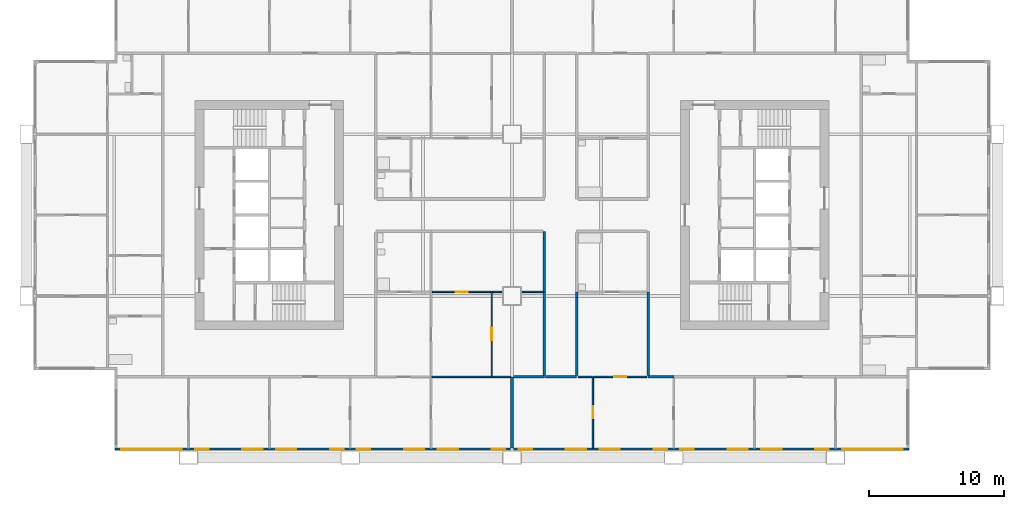
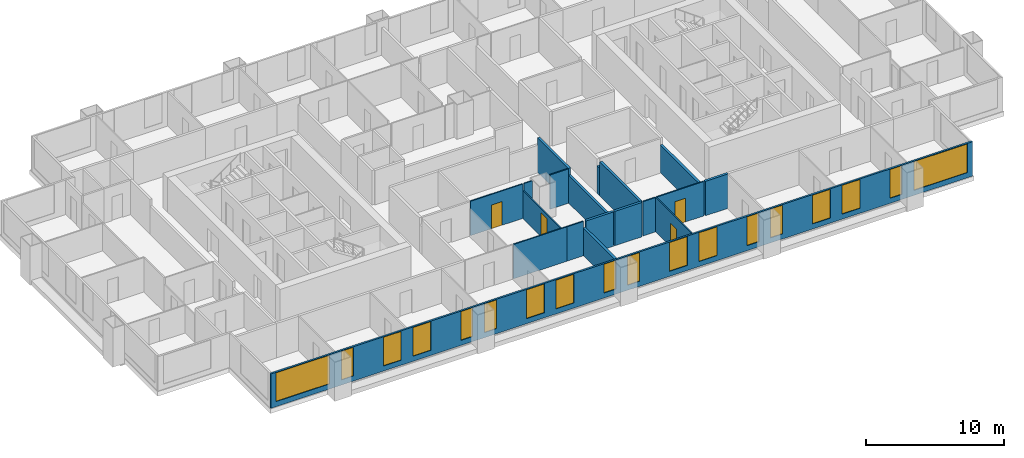
# One storey, part 5 of 12: 19 walls, 18 windows, 4 doors, 22 openings.
"""IFC4 building model written with IfcOpenShell, lengths in metres."""

from ifc_helpers import new_model, si_unit, direction, frame, frame_2d, origin, place, context, subcontext, project, spatial, rectangle, extrude, material, layer, layer_set, type_object, element, fill, save


model = new_model("IFC4")

# Units and contexts
model_context = context("Model", 3, precision=1e-05, world=origin(), true_north=direction((0.0, 1.0)))
body_context = subcontext(model_context, "Body", "Model", "MODEL_VIEW")
ifc_project = project(units=[si_unit("LENGTHUNIT", "METRE"), si_unit("AREAUNIT", "SQUARE_METRE"), si_unit("VOLUMEUNIT", "CUBIC_METRE"), si_unit("PLANEANGLEUNIT", "RADIAN"), si_unit("MASSUNIT", "GRAM", prefix="KILO")], contexts=[model_context])

# Site, building, storey
site_placement = place(None, origin())
site = spatial("IfcSite", under=ifc_project, at=site_placement, CompositionType="ELEMENT")
building_placement = place(site_placement, origin())
building = spatial("IfcBuilding", under=site, at=building_placement, Name="Kitamizu Gate Tower and Museum", CompositionType="ELEMENT")
storey_placement = place(building_placement, frame((0.0, 0.0, 134.550048828125)))
storey = spatial("IfcBuildingStorey", under=building, at=storey_placement, Name="L35", CompositionType="ELEMENT", Elevation=134.550048828125)

# Walls
ifc_material_1 = material(Name="Gypsum board on galvanised stud")
ifc_layer_1 = layer(ifc_material_1, 0.10009765625)
ifc_layer_set_1 = layer_set([ifc_layer_1], Name="Gypsum board on galvanised stud")
wall_type_1 = type_object("IfcWallType", Name="Partition 100 NOT RATED", PredefinedType="PARTITIONING", material=ifc_layer_set_1)
wall_1_placement = place(storey_placement, frame((34.5, 18.0, 0.0), z_axis=(0.0, 0.0, 1.0), x_axis=(-1.0, 0.0, 0.0)))
element("IfcWall", 1, at=wall_1_placement, inside=storey, type_object=wall_type_1, Name="Partition L35-011", PredefinedType="PARTITIONING", context=body_context, shape_type="SweptSolid", body=[
    extrude(rectangle(XDim=4.449951171875, YDim=0.10009765625, at=frame_2d((2.22509765625, 0.0))), origin(), (0.0, 0.0, 1.0), 3.050048828125),
])
wall_2_placement = place(storey_placement, frame((35.89990234375, 18.0, 0.0), z_axis=(0.0, 0.0, 1.0), x_axis=(-1.0, 0.0, 0.0)))
element("IfcWall", 2, at=wall_2_placement, inside=storey, type_object=wall_type_1, Name="Partition L35-012", PredefinedType="PARTITIONING", context=body_context, shape_type="SweptSolid", body=[
    extrude(rectangle(XDim=1.39990234375, YDim=0.10009765625, at=frame_2d((0.699951171875, 0.0))), origin(), (0.0, 0.0, 1.0), 3.050048828125),
])

# Wall, opening, door
wall_3_placement = place(storey_placement, frame((34.5, 18.050048828125, 0.0), z_axis=(0.0, 0.0, 1.0), x_axis=(0.0, 1.0, 0.0)))
wall_3 = element("IfcWall", 3, at=wall_3_placement, inside=storey, type_object=wall_type_1, Name="Partition L35-018", PredefinedType="PARTITIONING", context=body_context, shape_type="SweptSolid", body=[
    extrude(rectangle(XDim=6.25, YDim=0.10009765625, at=frame_2d((3.125, 0.0))), origin(), (0.0, 0.0, 1.0), 2.449951171875),
])
opening_1_placement = place(wall_3_placement, frame((2.675048828125, 0.0, 0.0)))
opening_1 = element("IfcOpeningElement", 4, at=opening_1_placement, cuts=wall_3, Name="Opening L35-009", PredefinedType="OPENING", context=body_context, shape_type="SweptSolid", body=[
    extrude(rectangle(XDim=0.89990234375, YDim=2.10009765625, at=frame_2d((0.449951171875, 1.050048828125))), frame((0.0, 0.06005859375, 0.0), z_axis=(0.0, -1.0, 0.0), x_axis=(1.0, 0.0, 0.0)), (0.0, 0.0, 1.0), 0.1201171875),
])
ifc_material_2 = material(Name="Timber door set", Category="wood")
door_type = type_object("IfcDoorType", Name="Room door 900", OperationType="NOTDEFINED", PredefinedType="DOOR", material=ifc_material_2)
door_1_placement = place(opening_1_placement, frame((0.89990234375, 0.0, 0.0), x_axis=(-1.0, 0.0, 0.0)))
door_1 = element("IfcDoor", 5, at=door_1_placement, inside=storey, type_object=door_type, Name="Door L35-009", OperationType="SINGLE_SWING_LEFT", OverallHeight=2.10009765625, OverallWidth=0.89990234375, PredefinedType="DOOR", context=body_context, shape_type="SweptSolid", body=[
    extrude(rectangle(XDim=0.89990234375, YDim=2.10009765625, at=frame_2d((0.449951171875, 1.050048828125))), frame((0.0, 0.02490234375, 0.0), z_axis=(0.0, -1.0, 0.0), x_axis=(1.0, 0.0, 0.0)), (0.0, 0.0, 1.0), 0.050048828125),
])
fill(opening_1, door_1)

wall_4_placement = place(storey_placement, frame((34.449951171875, 24.300048828125, 0.0), z_axis=(0.0, 0.0, 1.0), x_axis=(-1.0, 0.0, 0.0)))
wall_4 = element("IfcWall", 6, at=wall_4_placement, inside=storey, type_object=wall_type_1, Name="Partition L35-019", PredefinedType="PARTITIONING", context=body_context, shape_type="SweptSolid", body=[
    extrude(rectangle(XDim=4.375, YDim=0.10009765625, at=frame_2d((2.1875, 0.0))), origin(), (0.0, 0.0, 1.0), 3.050048828125),
])
opening_2_placement = place(wall_4_placement, frame((1.737548828125, 0.0, 0.0)))
opening_2 = element("IfcOpeningElement", 7, at=opening_2_placement, cuts=wall_4, Name="Opening L35-010", PredefinedType="OPENING", context=body_context, shape_type="SweptSolid", body=[
    extrude(rectangle(XDim=0.89990234375, YDim=2.10009765625, at=frame_2d((0.449951171875, 1.050048828125))), frame((0.0, 0.06005859375, 0.0), z_axis=(0.0, -1.0, 0.0), x_axis=(1.0, 0.0, 0.0)), (0.0, 0.0, 1.0), 0.1201171875),
])
door_2_placement = place(opening_2_placement, origin())
door_2 = element("IfcDoor", 8, at=door_2_placement, inside=storey, type_object=door_type, Name="Door L35-010", OperationType="SINGLE_SWING_LEFT", OverallHeight=2.10009765625, OverallWidth=0.89990234375, PredefinedType="DOOR", context=body_context, shape_type="SweptSolid", body=[
    extrude(rectangle(XDim=0.89990234375, YDim=2.10009765625, at=frame_2d((0.449951171875, 1.050048828125))), frame((0.0, 0.02490234375, 0.0), z_axis=(0.0, -1.0, 0.0), x_axis=(1.0, 0.0, 0.0)), (0.0, 0.0, 1.0), 0.050048828125),
])
fill(opening_2, door_2)

# Walls
wall_5_placement = place(storey_placement, frame((35.25, 24.300048828125, 0.0), z_axis=(0.0, 0.0, 1.0), x_axis=(-1.0, 0.0, 0.0)))
element("IfcWall", 9, at=wall_5_placement, inside=storey, type_object=wall_type_1, Name="Partition L35-020", PredefinedType="PARTITIONING", context=body_context, shape_type="SweptSolid", body=[
    extrude(rectangle(XDim=0.699951171875, YDim=0.10009765625, at=frame_2d((0.35009765625, 0.0))), origin(), (0.0, 0.0, 1.0), 3.050048828125),
])
wall_6_placement = place(storey_placement, frame((38.300048828125, 24.300048828125, 0.0), z_axis=(0.0, 0.0, 1.0), x_axis=(-1.0, 0.0, 0.0)))
element("IfcWall", 10, at=wall_6_placement, inside=storey, type_object=wall_type_1, Name="Partition L35-021", PredefinedType="PARTITIONING", context=body_context, shape_type="SweptSolid", body=[
    extrude(rectangle(XDim=1.550048828125, YDim=0.10009765625, at=frame_2d((0.77490234375, 0.0))), origin(), (0.0, 0.0, 1.0), 3.050048828125),
])

# Wall, opening, door
wall_7_placement = place(storey_placement, frame((42.0, 12.719970703125, 0.0), z_axis=(0.0, 0.0, 1.0), x_axis=(0.0, 1.0, 0.0)))
wall_7 = element("IfcWall", 11, at=wall_7_placement, inside=storey, type_object=wall_type_1, Name="Partition L35-030", PredefinedType="PARTITIONING", context=body_context, shape_type="SweptSolid", body=[
    extrude(rectangle(XDim=5.280029296875, YDim=0.10009765625, at=frame_2d((2.64013671875, 0.0))), origin(), (0.0, 0.0, 1.0), 3.050048828125),
])
opening_3_placement = place(wall_7_placement, frame((2.18994140625, 0.0, 0.0)))
opening_3 = element("IfcOpeningElement", 12, at=opening_3_placement, cuts=wall_7, Name="Opening L35-017", PredefinedType="OPENING", context=body_context, shape_type="SweptSolid", body=[
    extrude(rectangle(XDim=0.89990234375, YDim=2.10009765625, at=frame_2d((0.449951171875, 1.050048828125))), frame((0.0, 0.06005859375, 0.0), z_axis=(0.0, -1.0, 0.0), x_axis=(1.0, 0.0, 0.0)), (0.0, 0.0, 1.0), 0.1201171875),
])
door_3_placement = place(opening_3_placement, origin())
door_3 = element("IfcDoor", 13, at=door_3_placement, inside=storey, type_object=door_type, Name="Door L35-017", OperationType="SINGLE_SWING_RIGHT", OverallHeight=2.10009765625, OverallWidth=0.89990234375, PredefinedType="DOOR", context=body_context, shape_type="SweptSolid", body=[
    extrude(rectangle(XDim=0.89990234375, YDim=2.10009765625, at=frame_2d((0.449951171875, 1.050048828125))), frame((0.0, 0.02490234375, 0.0), z_axis=(0.0, -1.0, 0.0), x_axis=(1.0, 0.0, 0.0)), (0.0, 0.0, 1.0), 0.050048828125),
])
fill(opening_3, door_3)

# Wall
wall_8_placement = place(storey_placement, frame((41.949951171875, 18.0, 0.0), z_axis=(0.0, 0.0, 1.0), x_axis=(-1.0, 0.0, 0.0)))
element("IfcWall", 14, at=wall_8_placement, inside=storey, type_object=wall_type_1, Name="Partition L35-031", PredefinedType="PARTITIONING", context=body_context, shape_type="SweptSolid", body=[
    extrude(rectangle(XDim=1.050048828125, YDim=0.10009765625, at=frame_2d((0.52490234375, 0.0))), origin(), (0.0, 0.0, 1.0), 3.050048828125),
])

# Wall, opening, door
wall_9_placement = place(storey_placement, frame((46.0, 18.0, 0.0), z_axis=(0.0, 0.0, 1.0), x_axis=(-1.0, 0.0, 0.0)))
wall_9 = element("IfcWall", 15, at=wall_9_placement, inside=storey, type_object=wall_type_1, Name="Partition L35-034", PredefinedType="PARTITIONING", context=body_context, shape_type="SweptSolid", body=[
    extrude(rectangle(XDim=3.949951171875, YDim=0.10009765625, at=frame_2d((1.97509765625, 0.0))), origin(), (0.0, 0.0, 1.0), 3.050048828125),
])
opening_4_placement = place(wall_9_placement, frame((1.52490234375, 0.0, 0.0)))
opening_4 = element("IfcOpeningElement", 16, at=opening_4_placement, cuts=wall_9, Name="Opening L35-015", PredefinedType="OPENING", context=body_context, shape_type="SweptSolid", body=[
    extrude(rectangle(XDim=0.89990234375, YDim=2.10009765625, at=frame_2d((0.449951171875, 1.050048828125))), frame((0.0, 0.06005859375, 0.0), z_axis=(0.0, -1.0, 0.0), x_axis=(1.0, 0.0, 0.0)), (0.0, 0.0, 1.0), 0.1201171875),
])
door_4_placement = place(opening_4_placement, origin())
door_4 = element("IfcDoor", 17, at=door_4_placement, inside=storey, type_object=door_type, Name="Door L35-015", OperationType="SINGLE_SWING_RIGHT", OverallHeight=2.10009765625, OverallWidth=0.89990234375, PredefinedType="DOOR", context=body_context, shape_type="SweptSolid", body=[
    extrude(rectangle(XDim=0.89990234375, YDim=2.10009765625, at=frame_2d((0.449951171875, 1.050048828125))), frame((0.0, 0.02490234375, 0.0), z_axis=(0.0, -1.0, 0.0), x_axis=(1.0, 0.0, 0.0)), (0.0, 0.0, 1.0), 0.050048828125),
])
fill(opening_4, door_4)

# Walls
ifc_material_3 = material(Name="Gypsum board on galvanised stud")
ifc_layer_2 = layer(ifc_material_3, 0.199951171875)
ifc_layer_set_2 = layer_set([ifc_layer_2], Name="Gypsum board on galvanised stud")
wall_type_2 = type_object("IfcWallType", Name="Partition 200", PredefinedType="PARTITIONING", material=ifc_layer_set_2)
wall_10_placement = place(storey_placement, frame((36.0, 12.719970703125, 0.0), z_axis=(0.0, 0.0, 1.0), x_axis=(0.0, 1.0, 0.0)))
element("IfcWall", 18, at=wall_10_placement, inside=storey, type_object=wall_type_2, Name="Partition L35-013", PredefinedType="PARTITIONING", context=body_context, shape_type="SweptSolid", body=[
    extrude(rectangle(XDim=5.280029296875, YDim=0.199951171875, at=frame_2d((2.64013671875, 0.0))), origin(), (0.0, 0.0, 1.0), 2.449951171875),
])
wall_11_placement = place(storey_placement, frame((36.10009765625, 18.0, 0.0), z_axis=(0.0, 0.0, 1.0), x_axis=(1.0, 0.0, 0.0)))
element("IfcWall", 19, at=wall_11_placement, inside=storey, type_object=wall_type_2, Name="Partition L35-022", PredefinedType="PARTITIONING", context=body_context, shape_type="SweptSolid", body=[
    extrude(rectangle(XDim=2.2998046875, YDim=0.199951171875, at=frame_2d((1.14990234375, 0.0))), origin(), (0.0, 0.0, 1.0), 3.050048828125),
])
wall_12_placement = place(storey_placement, frame((38.39990234375, 18.10009765625, 0.0), z_axis=(0.0, 0.0, 1.0), x_axis=(0.0, 1.0, 0.0)))
element("IfcWall", 20, at=wall_12_placement, inside=storey, type_object=wall_type_2, Name="Partition L35-023", PredefinedType="PARTITIONING", context=body_context, shape_type="SweptSolid", body=[
    extrude(rectangle(XDim=6.199951171875, YDim=0.199951171875, at=frame_2d((3.10009765625, 0.0))), origin(), (0.0, 0.0, 1.0), 2.449951171875),
])
wall_13_placement = place(storey_placement, frame((38.39990234375, 24.300048828125, 0.0), z_axis=(0.0, 0.0, 1.0), x_axis=(0.0, 1.0, 0.0)))
element("IfcWall", 21, at=wall_13_placement, inside=storey, type_object=wall_type_2, Name="Partition L35-027", PredefinedType="PARTITIONING", context=body_context, shape_type="SweptSolid", body=[
    extrude(rectangle(XDim=4.5, YDim=0.199951171875, at=frame_2d((2.25, 0.0))), origin(), (0.0, 0.0, 1.0), 3.050048828125),
])
wall_14_placement = place(storey_placement, frame((40.800048828125, 18.0, 0.0), z_axis=(0.0, 0.0, 1.0), x_axis=(-1.0, 0.0, 0.0)))
element("IfcWall", 22, at=wall_14_placement, inside=storey, type_object=wall_type_2, Name="Partition L35-032", PredefinedType="PARTITIONING", context=body_context, shape_type="SweptSolid", body=[
    extrude(rectangle(XDim=2.300048828125, YDim=0.199951171875, at=frame_2d((1.14990234375, 0.0))), origin(), (0.0, 0.0, 1.0), 3.050048828125),
])
wall_15_placement = place(storey_placement, frame((48.0, 18.0, 0.0), z_axis=(0.0, 0.0, 1.0), x_axis=(-1.0, 0.0, 0.0)))
element("IfcWall", 23, at=wall_15_placement, inside=storey, type_object=wall_type_2, Name="Partition L35-035", PredefinedType="PARTITIONING", context=body_context, shape_type="SweptSolid", body=[
    extrude(rectangle(XDim=1.89990234375, YDim=0.199951171875, at=frame_2d((0.949951171875, 0.0))), origin(), (0.0, 0.0, 1.0), 3.050048828125),
])
wall_16_placement = place(storey_placement, frame((40.800048828125, 24.300048828125, 0.0), z_axis=(0.0, 0.0, 1.0), x_axis=(0.0, -1.0, 0.0)))
element("IfcWall", 24, at=wall_16_placement, inside=storey, type_object=wall_type_2, Name="Partition L35-043", PredefinedType="PARTITIONING", context=body_context, shape_type="SweptSolid", body=[
    extrude(rectangle(XDim=0.400146484375, YDim=0.199951171875, at=frame_2d((0.2001953125, 0.0))), origin(), (0.0, 0.0, 1.0), 2.449951171875),
])
wall_17_placement = place(storey_placement, frame((40.800048828125, 23.89990234375, 0.0), z_axis=(0.0, 0.0, 1.0), x_axis=(0.0, -1.0, 0.0)))
element("IfcWall", 25, at=wall_17_placement, inside=storey, type_object=wall_type_2, Name="Partition L35-044", PredefinedType="PARTITIONING", context=body_context, shape_type="SweptSolid", body=[
    extrude(rectangle(XDim=5.7998046875, YDim=0.199951171875, at=frame_2d((2.89990234375, 0.0))), origin(), (0.0, 0.0, 1.0), 3.050048828125),
])
wall_18_placement = place(storey_placement, frame((46.10009765625, 18.10009765625, 0.0), z_axis=(0.0, 0.0, 1.0), x_axis=(0.0, 1.0, 0.0)))
element("IfcWall", 26, at=wall_18_placement, inside=storey, type_object=wall_type_2, Name="Partition L35-045", PredefinedType="PARTITIONING", context=body_context, shape_type="SweptSolid", body=[
    extrude(rectangle(XDim=6.199951171875, YDim=0.199951171875, at=frame_2d((3.10009765625, 0.0))), origin(), (0.0, 0.0, 1.0), 2.449951171875),
])

# Wall, openings, windows
ifc_material_4 = material(Name="Bronze anodised aluminium frame with insulated spandrel and tinted glass", Category="aluminium")
ifc_layer_3 = layer(ifc_material_4, 0.14990234375)
ifc_layer_set_3 = layer_set([ifc_layer_3], Name="Bronze anodised aluminium frame with insulated spandrel and tinted glass")
wall_type_3 = type_object("IfcWallType", Name="WINDOW WALL 150 BRONZE FRAME EI 30", PredefinedType="ELEMENTEDWALL", material=ifc_layer_set_3)
wall_19_placement = place(storey_placement, frame((6.56005859375, 12.635009765625, 0.0), z_axis=(0.0, 0.0, 1.0), x_axis=(1.0, 0.0, 0.0)))
wall_19 = element("IfcWall", 27, at=wall_19_placement, inside=storey, type_object=wall_type_3, Name="Window wall south L35", PredefinedType="ELEMENTEDWALL", context=body_context, shape_type="SweptSolid", body=[
    extrude(rectangle(XDim=58.8798828125, YDim=0.14990234375, at=frame_2d((29.43994140625, 0.0))), origin(), (0.0, 0.0, 1.0), 3.050048828125),
])
opening_5_placement = place(wall_19_placement, frame((0.43994140625, 0.0, 0.449951171875)))
opening_5 = element("IfcOpeningElement", 28, at=opening_5_placement, cuts=wall_19, Name="Opening W15", PredefinedType="OPENING", context=body_context, shape_type="SweptSolid", body=[
    extrude(rectangle(XDim=4.5, YDim=2.550048828125, at=frame_2d((2.25, 1.27490234375))), frame((0.0, 0.0849609375, 0.0), z_axis=(0.0, -1.0, 0.0), x_axis=(1.0, 0.0, 0.0)), (0.0, 0.0, 1.0), 0.169921875),
])
opening_6_placement = place(wall_19_placement, frame((5.93994140625, 0.0, 0.449951171875)))
opening_6 = element("IfcOpeningElement", 29, at=opening_6_placement, cuts=wall_19, Name="Opening W26", PredefinedType="OPENING", context=body_context, shape_type="SweptSolid", body=[
    extrude(rectangle(XDim=1.0, YDim=2.550048828125, at=frame_2d((0.5, 1.27490234375))), frame((0.0, 0.0849609375, 0.0), z_axis=(0.0, -1.0, 0.0), x_axis=(1.0, 0.0, 0.0)), (0.0, 0.0, 1.0), 0.169921875),
])
opening_7_placement = place(wall_19_placement, frame((9.43994140625, 0.0, 0.449951171875)))
opening_7 = element("IfcOpeningElement", 30, at=opening_7_placement, cuts=wall_19, Name="Opening W28", PredefinedType="OPENING", context=body_context, shape_type="SweptSolid", body=[
    extrude(rectangle(XDim=1.5, YDim=2.550048828125, at=frame_2d((0.75, 1.27490234375))), frame((0.0, 0.0849609375, 0.0), z_axis=(0.0, -1.0, 0.0), x_axis=(1.0, 0.0, 0.0)), (0.0, 0.0, 1.0), 0.169921875),
])
opening_8_placement = place(wall_19_placement, frame((11.93994140625, 0.0, 0.449951171875)))
opening_8 = element("IfcOpeningElement", 31, at=opening_8_placement, cuts=wall_19, Name="Opening W28", PredefinedType="OPENING", context=body_context, shape_type="SweptSolid", body=[
    extrude(rectangle(XDim=1.5, YDim=2.550048828125, at=frame_2d((0.75, 1.27490234375))), frame((0.0, 0.0849609375, 0.0), z_axis=(0.0, -1.0, 0.0), x_axis=(1.0, 0.0, 0.0)), (0.0, 0.0, 1.0), 0.169921875),
])
opening_9_placement = place(wall_19_placement, frame((15.93994140625, 0.0, 0.449951171875)))
opening_9 = element("IfcOpeningElement", 32, at=opening_9_placement, cuts=wall_19, Name="Opening W26", PredefinedType="OPENING", context=body_context, shape_type="SweptSolid", body=[
    extrude(rectangle(XDim=1.0, YDim=2.550048828125, at=frame_2d((0.5, 1.27490234375))), frame((0.0, 0.0849609375, 0.0), z_axis=(0.0, -1.0, 0.0), x_axis=(1.0, 0.0, 0.0)), (0.0, 0.0, 1.0), 0.169921875),
])
opening_10_placement = place(wall_19_placement, frame((17.93994140625, 0.0, 0.449951171875)))
opening_10 = element("IfcOpeningElement", 33, at=opening_10_placement, cuts=wall_19, Name="Opening W26", PredefinedType="OPENING", context=body_context, shape_type="SweptSolid", body=[
    extrude(rectangle(XDim=1.0, YDim=2.550048828125, at=frame_2d((0.5, 1.27490234375))), frame((0.0, 0.0849609375, 0.0), z_axis=(0.0, -1.0, 0.0), x_axis=(1.0, 0.0, 0.0)), (0.0, 0.0, 1.0), 0.169921875),
])
opening_11_placement = place(wall_19_placement, frame((21.43994140625, 0.0, 0.449951171875)))
opening_11 = element("IfcOpeningElement", 34, at=opening_11_placement, cuts=wall_19, Name="Opening W28", PredefinedType="OPENING", context=body_context, shape_type="SweptSolid", body=[
    extrude(rectangle(XDim=1.5, YDim=2.550048828125, at=frame_2d((0.75, 1.27490234375))), frame((0.0, 0.0849609375, 0.0), z_axis=(0.0, -1.0, 0.0), x_axis=(1.0, 0.0, 0.0)), (0.0, 0.0, 1.0), 0.169921875),
])
opening_12_placement = place(wall_19_placement, frame((23.93994140625, 0.0, 0.449951171875)))
opening_12 = element("IfcOpeningElement", 35, at=opening_12_placement, cuts=wall_19, Name="Opening W28", PredefinedType="OPENING", context=body_context, shape_type="SweptSolid", body=[
    extrude(rectangle(XDim=1.5, YDim=2.550048828125, at=frame_2d((0.75, 1.27490234375))), frame((0.0, 0.0849609375, 0.0), z_axis=(0.0, -1.0, 0.0), x_axis=(1.0, 0.0, 0.0)), (0.0, 0.0, 1.0), 0.169921875),
])
opening_13_placement = place(wall_19_placement, frame((27.93994140625, 0.0, 0.449951171875)))
opening_13 = element("IfcOpeningElement", 36, at=opening_13_placement, cuts=wall_19, Name="Opening W26", PredefinedType="OPENING", context=body_context, shape_type="SweptSolid", body=[
    extrude(rectangle(XDim=1.0, YDim=2.550048828125, at=frame_2d((0.5, 1.27490234375))), frame((0.0, 0.0849609375, 0.0), z_axis=(0.0, -1.0, 0.0), x_axis=(1.0, 0.0, 0.0)), (0.0, 0.0, 1.0), 0.169921875),
])
opening_14_placement = place(wall_19_placement, frame((29.93994140625, 0.0, 0.449951171875)))
opening_14 = element("IfcOpeningElement", 37, at=opening_14_placement, cuts=wall_19, Name="Opening W26", PredefinedType="OPENING", context=body_context, shape_type="SweptSolid", body=[
    extrude(rectangle(XDim=1.0, YDim=2.550048828125, at=frame_2d((0.5, 1.27490234375))), frame((0.0, 0.0849609375, 0.0), z_axis=(0.0, -1.0, 0.0), x_axis=(1.0, 0.0, 0.0)), (0.0, 0.0, 1.0), 0.169921875),
])
opening_15_placement = place(wall_19_placement, frame((33.43994140625, 0.0, 0.449951171875)))
opening_15 = element("IfcOpeningElement", 38, at=opening_15_placement, cuts=wall_19, Name="Opening W28", PredefinedType="OPENING", context=body_context, shape_type="SweptSolid", body=[
    extrude(rectangle(XDim=1.5, YDim=2.550048828125, at=frame_2d((0.75, 1.27490234375))), frame((0.0, 0.0849609375, 0.0), z_axis=(0.0, -1.0, 0.0), x_axis=(1.0, 0.0, 0.0)), (0.0, 0.0, 1.0), 0.169921875),
])
opening_16_placement = place(wall_19_placement, frame((35.93994140625, 0.0, 0.449951171875)))
opening_16 = element("IfcOpeningElement", 39, at=opening_16_placement, cuts=wall_19, Name="Opening W28", PredefinedType="OPENING", context=body_context, shape_type="SweptSolid", body=[
    extrude(rectangle(XDim=1.5, YDim=2.550048828125, at=frame_2d((0.75, 1.27490234375))), frame((0.0, 0.0849609375, 0.0), z_axis=(0.0, -1.0, 0.0), x_axis=(1.0, 0.0, 0.0)), (0.0, 0.0, 1.0), 0.169921875),
])
opening_17_placement = place(wall_19_placement, frame((39.93994140625, 0.0, 0.449951171875)))
opening_17 = element("IfcOpeningElement", 40, at=opening_17_placement, cuts=wall_19, Name="Opening W26", PredefinedType="OPENING", context=body_context, shape_type="SweptSolid", body=[
    extrude(rectangle(XDim=1.0, YDim=2.550048828125, at=frame_2d((0.5, 1.27490234375))), frame((0.0, 0.0849609375, 0.0), z_axis=(0.0, -1.0, 0.0), x_axis=(1.0, 0.0, 0.0)), (0.0, 0.0, 1.0), 0.169921875),
])
opening_18_placement = place(wall_19_placement, frame((41.93994140625, 0.0, 0.449951171875)))
opening_18 = element("IfcOpeningElement", 41, at=opening_18_placement, cuts=wall_19, Name="Opening W26", PredefinedType="OPENING", context=body_context, shape_type="SweptSolid", body=[
    extrude(rectangle(XDim=1.0, YDim=2.550048828125, at=frame_2d((0.5, 1.27490234375))), frame((0.0, 0.0849609375, 0.0), z_axis=(0.0, -1.0, 0.0), x_axis=(1.0, 0.0, 0.0)), (0.0, 0.0, 1.0), 0.169921875),
])
opening_19_placement = place(wall_19_placement, frame((45.43994140625, 0.0, 0.449951171875)))
opening_19 = element("IfcOpeningElement", 42, at=opening_19_placement, cuts=wall_19, Name="Opening W28", PredefinedType="OPENING", context=body_context, shape_type="SweptSolid", body=[
    extrude(rectangle(XDim=1.5, YDim=2.550048828125, at=frame_2d((0.75, 1.27490234375))), frame((0.0, 0.0849609375, 0.0), z_axis=(0.0, -1.0, 0.0), x_axis=(1.0, 0.0, 0.0)), (0.0, 0.0, 1.0), 0.169921875),
])
opening_20_placement = place(wall_19_placement, frame((47.93994140625, 0.0, 0.449951171875)))
opening_20 = element("IfcOpeningElement", 43, at=opening_20_placement, cuts=wall_19, Name="Opening W28", PredefinedType="OPENING", context=body_context, shape_type="SweptSolid", body=[
    extrude(rectangle(XDim=1.5, YDim=2.550048828125, at=frame_2d((0.75, 1.27490234375))), frame((0.0, 0.0849609375, 0.0), z_axis=(0.0, -1.0, 0.0), x_axis=(1.0, 0.0, 0.0)), (0.0, 0.0, 1.0), 0.169921875),
])
opening_21_placement = place(wall_19_placement, frame((51.93994140625, 0.0, 0.449951171875)))
opening_21 = element("IfcOpeningElement", 44, at=opening_21_placement, cuts=wall_19, Name="Opening W26", PredefinedType="OPENING", context=body_context, shape_type="SweptSolid", body=[
    extrude(rectangle(XDim=1.0, YDim=2.550048828125, at=frame_2d((0.5, 1.27490234375))), frame((0.0, 0.0849609375, 0.0), z_axis=(0.0, -1.0, 0.0), x_axis=(1.0, 0.0, 0.0)), (0.0, 0.0, 1.0), 0.169921875),
])
opening_22_placement = place(wall_19_placement, frame((53.93994140625, 0.0, 0.449951171875)))
opening_22 = element("IfcOpeningElement", 45, at=opening_22_placement, cuts=wall_19, Name="Opening W15", PredefinedType="OPENING", context=body_context, shape_type="SweptSolid", body=[
    extrude(rectangle(XDim=4.5, YDim=2.550048828125, at=frame_2d((2.25, 1.27490234375))), frame((0.0, 0.0849609375, 0.0), z_axis=(0.0, -1.0, 0.0), x_axis=(1.0, 0.0, 0.0)), (0.0, 0.0, 1.0), 0.169921875),
])
ifc_material_5 = material(Name="Bronze anodised aluminium frame, tinted triple glazing", Category="aluminium")
window_type_1 = type_object("IfcWindowType", Name="WINDOW 1000 x 2550 SILL 450", PartitioningType="SINGLE_PANEL", PredefinedType="WINDOW", material=ifc_material_5)
window_1_placement = place(opening_6_placement, origin())
window_1 = element("IfcWindow", 46, at=window_1_placement, inside=storey, type_object=window_type_1, Name="Window W26 L35", OverallHeight=2.550048828125, OverallWidth=1.0, PartitioningType="SINGLE_PANEL", PredefinedType="WINDOW", context=body_context, shape_type="SweptSolid", body=[
    extrude(rectangle(XDim=1.0, YDim=2.550048828125, at=frame_2d((0.5, 1.27490234375))), frame((0.0, 0.030029296875, 0.0), z_axis=(0.0, -1.0, 0.0), x_axis=(1.0, 0.0, 0.0)), (0.0, 0.0, 1.0), 0.06005859375),
])
fill(opening_6, window_1)
window_2_placement = place(opening_9_placement, origin())
window_2 = element("IfcWindow", 47, at=window_2_placement, inside=storey, type_object=window_type_1, Name="Window W26 L35", OverallHeight=2.550048828125, OverallWidth=1.0, PartitioningType="SINGLE_PANEL", PredefinedType="WINDOW", context=body_context, shape_type="SweptSolid", body=[
    extrude(rectangle(XDim=1.0, YDim=2.550048828125, at=frame_2d((0.5, 1.27490234375))), frame((0.0, 0.030029296875, 0.0), z_axis=(0.0, -1.0, 0.0), x_axis=(1.0, 0.0, 0.0)), (0.0, 0.0, 1.0), 0.06005859375),
])
fill(opening_9, window_2)
window_3_placement = place(opening_10_placement, origin())
window_3 = element("IfcWindow", 48, at=window_3_placement, inside=storey, type_object=window_type_1, Name="Window W26 L35", OverallHeight=2.550048828125, OverallWidth=1.0, PartitioningType="SINGLE_PANEL", PredefinedType="WINDOW", context=body_context, shape_type="SweptSolid", body=[
    extrude(rectangle(XDim=1.0, YDim=2.550048828125, at=frame_2d((0.5, 1.27490234375))), frame((0.0, 0.030029296875, 0.0), z_axis=(0.0, -1.0, 0.0), x_axis=(1.0, 0.0, 0.0)), (0.0, 0.0, 1.0), 0.06005859375),
])
fill(opening_10, window_3)
window_4_placement = place(opening_13_placement, origin())
window_4 = element("IfcWindow", 49, at=window_4_placement, inside=storey, type_object=window_type_1, Name="Window W26 L35", OverallHeight=2.550048828125, OverallWidth=1.0, PartitioningType="SINGLE_PANEL", PredefinedType="WINDOW", context=body_context, shape_type="SweptSolid", body=[
    extrude(rectangle(XDim=1.0, YDim=2.550048828125, at=frame_2d((0.5, 1.27490234375))), frame((0.0, 0.030029296875, 0.0), z_axis=(0.0, -1.0, 0.0), x_axis=(1.0, 0.0, 0.0)), (0.0, 0.0, 1.0), 0.06005859375),
])
fill(opening_13, window_4)
window_5_placement = place(opening_14_placement, origin())
window_5 = element("IfcWindow", 50, at=window_5_placement, inside=storey, type_object=window_type_1, Name="Window W26 L35", OverallHeight=2.550048828125, OverallWidth=1.0, PartitioningType="SINGLE_PANEL", PredefinedType="WINDOW", context=body_context, shape_type="SweptSolid", body=[
    extrude(rectangle(XDim=1.0, YDim=2.550048828125, at=frame_2d((0.5, 1.27490234375))), frame((0.0, 0.030029296875, 0.0), z_axis=(0.0, -1.0, 0.0), x_axis=(1.0, 0.0, 0.0)), (0.0, 0.0, 1.0), 0.06005859375),
])
fill(opening_14, window_5)
window_6_placement = place(opening_17_placement, origin())
window_6 = element("IfcWindow", 51, at=window_6_placement, inside=storey, type_object=window_type_1, Name="Window W26 L35", OverallHeight=2.550048828125, OverallWidth=1.0, PartitioningType="SINGLE_PANEL", PredefinedType="WINDOW", context=body_context, shape_type="SweptSolid", body=[
    extrude(rectangle(XDim=1.0, YDim=2.550048828125, at=frame_2d((0.5, 1.27490234375))), frame((0.0, 0.030029296875, 0.0), z_axis=(0.0, -1.0, 0.0), x_axis=(1.0, 0.0, 0.0)), (0.0, 0.0, 1.0), 0.06005859375),
])
fill(opening_17, window_6)
window_7_placement = place(opening_18_placement, origin())
window_7 = element("IfcWindow", 52, at=window_7_placement, inside=storey, type_object=window_type_1, Name="Window W26 L35", OverallHeight=2.550048828125, OverallWidth=1.0, PartitioningType="SINGLE_PANEL", PredefinedType="WINDOW", context=body_context, shape_type="SweptSolid", body=[
    extrude(rectangle(XDim=1.0, YDim=2.550048828125, at=frame_2d((0.5, 1.27490234375))), frame((0.0, 0.030029296875, 0.0), z_axis=(0.0, -1.0, 0.0), x_axis=(1.0, 0.0, 0.0)), (0.0, 0.0, 1.0), 0.06005859375),
])
fill(opening_18, window_7)
window_8_placement = place(opening_21_placement, origin())
window_8 = element("IfcWindow", 53, at=window_8_placement, inside=storey, type_object=window_type_1, Name="Window W26 L35", OverallHeight=2.550048828125, OverallWidth=1.0, PartitioningType="SINGLE_PANEL", PredefinedType="WINDOW", context=body_context, shape_type="SweptSolid", body=[
    extrude(rectangle(XDim=1.0, YDim=2.550048828125, at=frame_2d((0.5, 1.27490234375))), frame((0.0, 0.030029296875, 0.0), z_axis=(0.0, -1.0, 0.0), x_axis=(1.0, 0.0, 0.0)), (0.0, 0.0, 1.0), 0.06005859375),
])
fill(opening_21, window_8)
ifc_material_6 = material(Name="Bronze anodised aluminium frame, tinted triple glazing", Category="aluminium")
window_type_2 = type_object("IfcWindowType", Name="WINDOW 1500 x 2550 SILL 450", PartitioningType="SINGLE_PANEL", PredefinedType="WINDOW", material=ifc_material_6)
window_9_placement = place(opening_7_placement, origin())
window_9 = element("IfcWindow", 54, at=window_9_placement, inside=storey, type_object=window_type_2, Name="Window W28 L35", OverallHeight=2.550048828125, OverallWidth=1.5, PartitioningType="SINGLE_PANEL", PredefinedType="WINDOW", context=body_context, shape_type="SweptSolid", body=[
    extrude(rectangle(XDim=1.5, YDim=2.550048828125, at=frame_2d((0.75, 1.27490234375))), frame((0.0, 0.030029296875, 0.0), z_axis=(0.0, -1.0, 0.0), x_axis=(1.0, 0.0, 0.0)), (0.0, 0.0, 1.0), 0.06005859375),
])
fill(opening_7, window_9)
window_10_placement = place(opening_8_placement, origin())
window_10 = element("IfcWindow", 55, at=window_10_placement, inside=storey, type_object=window_type_2, Name="Window W28 L35", OverallHeight=2.550048828125, OverallWidth=1.5, PartitioningType="SINGLE_PANEL", PredefinedType="WINDOW", context=body_context, shape_type="SweptSolid", body=[
    extrude(rectangle(XDim=1.5, YDim=2.550048828125, at=frame_2d((0.75, 1.27490234375))), frame((0.0, 0.030029296875, 0.0), z_axis=(0.0, -1.0, 0.0), x_axis=(1.0, 0.0, 0.0)), (0.0, 0.0, 1.0), 0.06005859375),
])
fill(opening_8, window_10)
window_11_placement = place(opening_11_placement, origin())
window_11 = element("IfcWindow", 56, at=window_11_placement, inside=storey, type_object=window_type_2, Name="Window W28 L35", OverallHeight=2.550048828125, OverallWidth=1.5, PartitioningType="SINGLE_PANEL", PredefinedType="WINDOW", context=body_context, shape_type="SweptSolid", body=[
    extrude(rectangle(XDim=1.5, YDim=2.550048828125, at=frame_2d((0.75, 1.27490234375))), frame((0.0, 0.030029296875, 0.0), z_axis=(0.0, -1.0, 0.0), x_axis=(1.0, 0.0, 0.0)), (0.0, 0.0, 1.0), 0.06005859375),
])
fill(opening_11, window_11)
window_12_placement = place(opening_12_placement, origin())
window_12 = element("IfcWindow", 57, at=window_12_placement, inside=storey, type_object=window_type_2, Name="Window W28 L35", OverallHeight=2.550048828125, OverallWidth=1.5, PartitioningType="SINGLE_PANEL", PredefinedType="WINDOW", context=body_context, shape_type="SweptSolid", body=[
    extrude(rectangle(XDim=1.5, YDim=2.550048828125, at=frame_2d((0.75, 1.27490234375))), frame((0.0, 0.030029296875, 0.0), z_axis=(0.0, -1.0, 0.0), x_axis=(1.0, 0.0, 0.0)), (0.0, 0.0, 1.0), 0.06005859375),
])
fill(opening_12, window_12)
window_13_placement = place(opening_15_placement, origin())
window_13 = element("IfcWindow", 58, at=window_13_placement, inside=storey, type_object=window_type_2, Name="Window W28 L35", OverallHeight=2.550048828125, OverallWidth=1.5, PartitioningType="SINGLE_PANEL", PredefinedType="WINDOW", context=body_context, shape_type="SweptSolid", body=[
    extrude(rectangle(XDim=1.5, YDim=2.550048828125, at=frame_2d((0.75, 1.27490234375))), frame((0.0, 0.030029296875, 0.0), z_axis=(0.0, -1.0, 0.0), x_axis=(1.0, 0.0, 0.0)), (0.0, 0.0, 1.0), 0.06005859375),
])
fill(opening_15, window_13)
window_14_placement = place(opening_16_placement, origin())
window_14 = element("IfcWindow", 59, at=window_14_placement, inside=storey, type_object=window_type_2, Name="Window W28 L35", OverallHeight=2.550048828125, OverallWidth=1.5, PartitioningType="SINGLE_PANEL", PredefinedType="WINDOW", context=body_context, shape_type="SweptSolid", body=[
    extrude(rectangle(XDim=1.5, YDim=2.550048828125, at=frame_2d((0.75, 1.27490234375))), frame((0.0, 0.030029296875, 0.0), z_axis=(0.0, -1.0, 0.0), x_axis=(1.0, 0.0, 0.0)), (0.0, 0.0, 1.0), 0.06005859375),
])
fill(opening_16, window_14)
window_15_placement = place(opening_19_placement, origin())
window_15 = element("IfcWindow", 60, at=window_15_placement, inside=storey, type_object=window_type_2, Name="Window W28 L35", OverallHeight=2.550048828125, OverallWidth=1.5, PartitioningType="SINGLE_PANEL", PredefinedType="WINDOW", context=body_context, shape_type="SweptSolid", body=[
    extrude(rectangle(XDim=1.5, YDim=2.550048828125, at=frame_2d((0.75, 1.27490234375))), frame((0.0, 0.030029296875, 0.0), z_axis=(0.0, -1.0, 0.0), x_axis=(1.0, 0.0, 0.0)), (0.0, 0.0, 1.0), 0.06005859375),
])
fill(opening_19, window_15)
window_16_placement = place(opening_20_placement, origin())
window_16 = element("IfcWindow", 61, at=window_16_placement, inside=storey, type_object=window_type_2, Name="Window W28 L35", OverallHeight=2.550048828125, OverallWidth=1.5, PartitioningType="SINGLE_PANEL", PredefinedType="WINDOW", context=body_context, shape_type="SweptSolid", body=[
    extrude(rectangle(XDim=1.5, YDim=2.550048828125, at=frame_2d((0.75, 1.27490234375))), frame((0.0, 0.030029296875, 0.0), z_axis=(0.0, -1.0, 0.0), x_axis=(1.0, 0.0, 0.0)), (0.0, 0.0, 1.0), 0.06005859375),
])
fill(opening_20, window_16)
ifc_material_7 = material(Name="Bronze anodised aluminium frame, tinted triple glazing", Category="aluminium")
window_type_3 = type_object("IfcWindowType", Name="WINDOW 4500 x 2550 SILL 450", PartitioningType="SINGLE_PANEL", PredefinedType="WINDOW", material=ifc_material_7)
window_17_placement = place(opening_5_placement, origin())
window_17 = element("IfcWindow", 62, at=window_17_placement, inside=storey, type_object=window_type_3, Name="Window W15 L35", OverallHeight=2.550048828125, OverallWidth=4.5, PartitioningType="SINGLE_PANEL", PredefinedType="WINDOW", context=body_context, shape_type="SweptSolid", body=[
    extrude(rectangle(XDim=4.5, YDim=2.550048828125, at=frame_2d((2.25, 1.27490234375))), frame((0.0, 0.030029296875, 0.0), z_axis=(0.0, -1.0, 0.0), x_axis=(1.0, 0.0, 0.0)), (0.0, 0.0, 1.0), 0.06005859375),
])
fill(opening_5, window_17)
window_18_placement = place(opening_22_placement, origin())
window_18 = element("IfcWindow", 63, at=window_18_placement, inside=storey, type_object=window_type_3, Name="Window W15 L35", OverallHeight=2.550048828125, OverallWidth=4.5, PartitioningType="SINGLE_PANEL", PredefinedType="WINDOW", context=body_context, shape_type="SweptSolid", body=[
    extrude(rectangle(XDim=4.5, YDim=2.550048828125, at=frame_2d((2.25, 1.27490234375))), frame((0.0, 0.030029296875, 0.0), z_axis=(0.0, -1.0, 0.0), x_axis=(1.0, 0.0, 0.0)), (0.0, 0.0, 1.0), 0.06005859375),
])
fill(opening_22, window_18)

save(model, "model.ifc")
